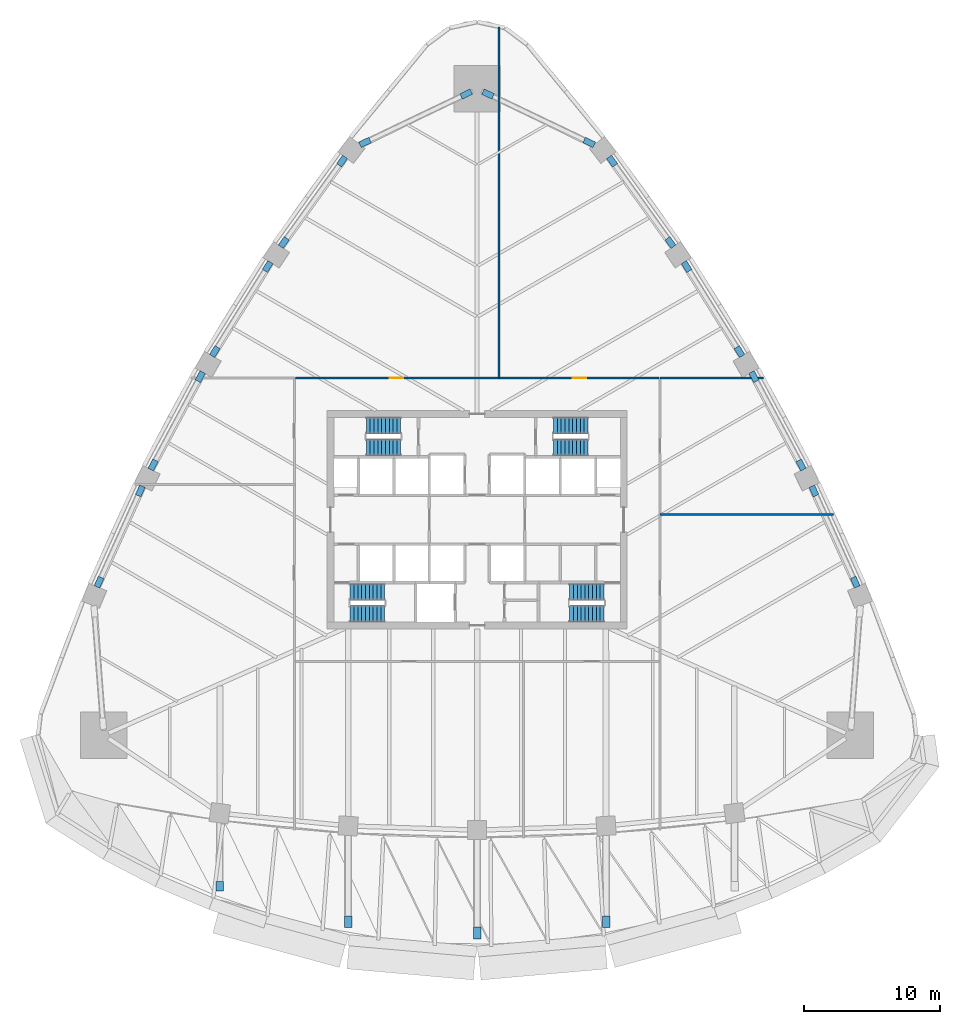
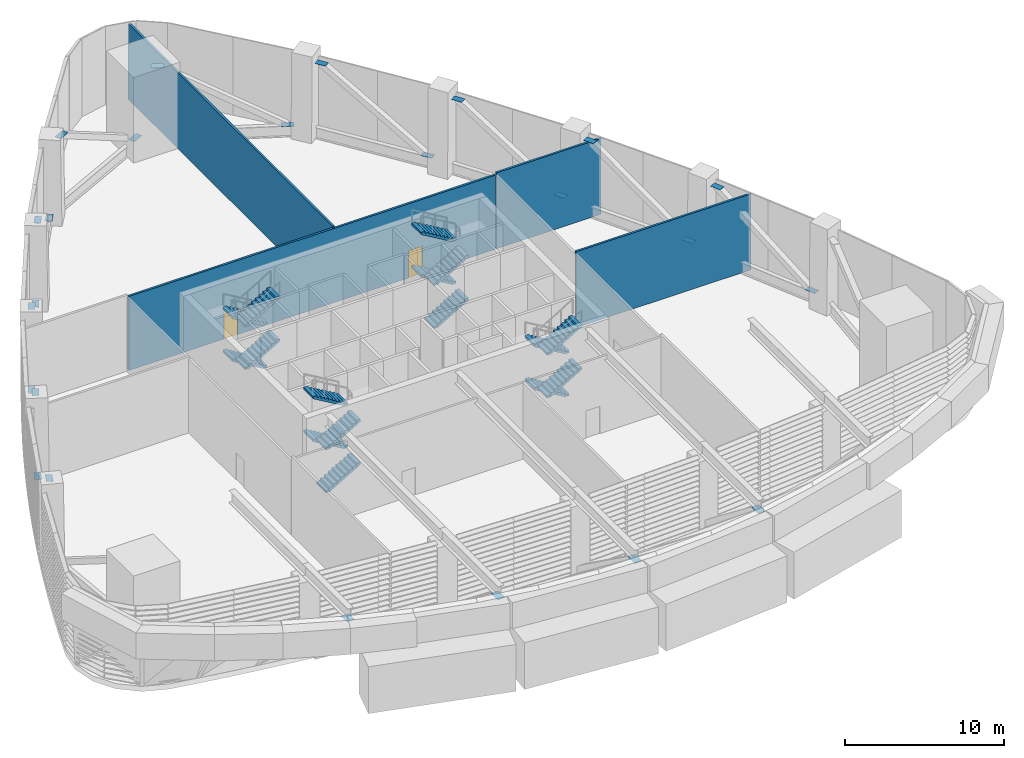
# One storey, part 6 of 15: 24 discrete accessories, 16 stair flights, 4 walls, 2 doors, 2 openings, 4 elements without a shape of their own.
"""IFC4 building model written with IfcOpenShell, lengths in metres."""

import ifcopenshell
import ifcopenshell.guid

model = None  # the IFC model being written
_history = None  # IfcOwnerHistory: only IFC2X3 demands one
_inside = {}  # id of a spatial element -> (the spatial element, [elements in it])
_under = {}  # id of a project, library or spatial element -> (it, [spatial elements below it])
_declared = {}  # id of a project -> (the project, [libraries it declares])
_typed = {}  # id of a type object -> (the type object, [elements of that type])
_made_of = {}  # id of a material, layer set ... -> (it, [elements and type objects made of it])


def new_model(schema):
    """Start an empty IFC model of exactly this schema.

    Asked for "IFC4X3", IfcOpenShell would pick the latest addendum, in which some entities
    have other attributes; the version numbers below select the first issue.
    IFC2X3 requires an IfcOwnerHistory on every rooted entity: one is made here for all.
    """
    global model, _history
    if schema == "IFC4X3":
        model = ifcopenshell.file(schema_version=(4, 3, 0, 0))
    else:
        model = ifcopenshell.file(schema=schema)
    _inside.clear()
    _under.clear()
    _declared.clear()
    _typed.clear()
    _made_of.clear()
    _history = None
    if model.schema == "IFC2X3":
        org = make("IfcOrganization", Name="unknown")
        user = make(
            "IfcPersonAndOrganization",
            ThePerson=make("IfcPerson", FamilyName="unknown"),
            TheOrganization=org,
        )
        app = make(
            "IfcApplication",
            ApplicationDeveloper=org,
            Version="unknown",
            ApplicationFullName="unknown",
            ApplicationIdentifier="unknown",
        )
        _history = make(
            "IfcOwnerHistory",
            OwningUser=user,
            OwningApplication=app,
            ChangeAction="ADDED",
            CreationDate=0,
        )
    return model


def make(cls, **values):
    """One entity of the class cls with the attributes given. An attribute that is None is left unset."""
    return model.create_entity(
        cls, **{name: value for name, value in values.items() if value is not None}
    )


def rooted(cls, **values):
    """An entity with a GlobalId (a new one), such as an element, a storey or a relation."""
    return make(cls, GlobalId=ifcopenshell.guid.new(), OwnerHistory=_history, **values)


def si_unit(unit_type, name, prefix=None):
    """IfcSIUnit, for example si_unit("LENGTHUNIT", "METRE", prefix="MILLI")."""
    return make("IfcSIUnit", UnitType=unit_type, Prefix=prefix, Name=name)


def assignment(units):
    """IfcUnitAssignment: the units of a project."""
    return None if units is None else make("IfcUnitAssignment", Units=units)


def point(xyz):
    """IfcCartesianPoint."""
    return None if xyz is None else make("IfcCartesianPoint", Coordinates=xyz)


def direction(xyz):
    """IfcDirection."""
    return None if xyz is None else make("IfcDirection", DirectionRatios=xyz)


def frame(location, z_axis=None, x_axis=None):
    """IfcAxis2Placement3D, a coordinate frame: its origin and axes. An axis left out is left unset."""
    return make(
        "IfcAxis2Placement3D",
        Location=point(location),
        Axis=direction(z_axis),
        RefDirection=direction(x_axis),
    )


def frame_2d(location, x_axis=None):
    """IfcAxis2Placement2D, a coordinate frame in the plane: its origin and x axis."""
    return make(
        "IfcAxis2Placement2D", Location=point(location), RefDirection=direction(x_axis)
    )


def origin():
    """The frame at (0, 0, 0) with its axes left unset."""
    return frame((0.0, 0.0, 0.0))


def origin_2d():
    """The frame at (0, 0) in the plane with its x axis left unset."""
    return frame_2d((0.0, 0.0))


def place(relative_to, where):
    """IfcLocalPlacement: puts the frame where relative to a parent placement (None: the world)."""
    return make(
        "IfcLocalPlacement", PlacementRelTo=relative_to, RelativePlacement=where
    )


def context(
    kind, dimensions, precision=None, world=None, true_north=None, identifier=None
):
    """IfcGeometricRepresentationContext, for example the 3D "Model" context."""
    return make(
        "IfcGeometricRepresentationContext",
        ContextIdentifier=identifier,
        ContextType=kind,
        CoordinateSpaceDimension=dimensions,
        Precision=precision,
        WorldCoordinateSystem=world,
        TrueNorth=true_north,
    )


def subcontext(parent, identifier, kind, view, scale=None):
    """IfcGeometricRepresentationSubContext, for example "Body" below "Model"."""
    return make(
        "IfcGeometricRepresentationSubContext",
        ContextIdentifier=identifier,
        ContextType=kind,
        ParentContext=parent,
        TargetScale=scale,
        TargetView=view,
    )


def project(units=None, contexts=None):
    """IfcProject with its units and contexts."""
    return rooted(
        "IfcProject",
        Name="project",
        RepresentationContexts=contexts,
        UnitsInContext=assignment(units),
    )


def spatial(cls, under=None, at=None, **own):
    """A site, building, storey or space (cls), placed at a placement, below another one or the project."""
    s = rooted(cls, ObjectPlacement=at, **own)
    if under is not None:
        _under.setdefault(under.id(), (under, []))[1].append(s)
    return s


def polyline(points):
    """IfcPolyline through the points."""
    return make("IfcPolyline", Points=[point(p) for p in points])


def profile(cls, at=None, kind="AREA", **sizes):
    """A parametric profile (cls). Its sizes go by their IFC names, for example OverallWidth=200.0."""
    return make(cls, ProfileType=kind, Position=at, **sizes)


def rectangle(**sizes):
    """IfcRectangleProfileDef."""
    return profile("IfcRectangleProfileDef", **sizes)


def outline(outer, holes=None, kind="AREA"):
    """IfcArbitraryClosedProfileDef: a profile drawn as a closed curve; with holes, ...WithVoids."""
    if holes is None:
        return make("IfcArbitraryClosedProfileDef", ProfileType=kind, OuterCurve=outer)
    return make(
        "IfcArbitraryProfileDefWithVoids",
        ProfileType=kind,
        OuterCurve=outer,
        InnerCurves=holes,
    )


def extrude(swept, where, along, depth):
    """IfcExtrudedAreaSolid: the profile swept, set in the frame where, extruded along a direction by depth."""
    return make(
        "IfcExtrudedAreaSolid",
        SweptArea=swept,
        Position=where,
        ExtrudedDirection=direction(along),
        Depth=depth,
    )


def shape(context_of_items, identifier, shape_type, items):
    """IfcShapeRepresentation: the items that make up one representation, for example the "Body"."""
    return make(
        "IfcShapeRepresentation",
        ContextOfItems=context_of_items,
        RepresentationIdentifier=identifier,
        RepresentationType=shape_type,
        Items=items,
    )


def material(Name=None, Category=None):
    """IfcMaterial."""
    return make("IfcMaterial", Name=Name, Category=Category)


def layer(
    of_material, thickness, ventilated=None, Name=None, Category=None, Priority=None
):
    """IfcMaterialLayer: one layer of a wall or slab, of a material (None: an air gap)."""
    return make(
        "IfcMaterialLayer",
        Material=of_material,
        LayerThickness=thickness,
        IsVentilated=ventilated,
        Name=Name,
        Category=Category,
        Priority=Priority,
    )


def layer_set(layers, Name=None):
    """IfcMaterialLayerSet."""
    return make("IfcMaterialLayerSet", MaterialLayers=layers, LayerSetName=Name)


def made_of(thing, what):
    """Note that an element or type object is made of a material, layer set ...; save() writes the relation."""
    if what is not None:
        _made_of.setdefault(what.id(), (what, []))[1].append(thing)
    return thing


def type_object(cls, material=None, **own):
    """A type object (cls), such as IfcWallType, which elements share."""
    return made_of(rooted(cls, **own), material)


def element(
    cls,
    number,
    at=None,
    inside=None,
    cuts=None,
    type_object=None,
    material=None,
    context=None,
    identifier="Body",
    shape_type=None,
    held_by="IfcProductDefinitionShape",
    body=None,
    shapes=None,
    **own,
):
    """One element of the class cls, such as IfcWall. Its Tag is "e" and its number.

    at: its placement. inside: the storey or other place that contains it. cuts: it is an
    opening in that element (IfcRelVoidsElement). A single representation is given by context,
    identifier, shape_type and body (its items); several are given by shapes. held_by: the class
    of the entity that holds the representations. save() writes the other relations.
    """
    e = rooted(cls, Tag="e%d" % number, ObjectPlacement=at, **own)
    if body is not None:
        shapes = [shape(context, identifier, shape_type, body)]
    if shapes is not None:
        e.Representation = make(held_by, Representations=shapes)
    if inside is not None:
        _inside.setdefault(inside.id(), (inside, []))[1].append(e)
    if cuts is not None:
        rooted(
            "IfcRelVoidsElement", RelatingBuildingElement=cuts, RelatedOpeningElement=e
        )
    if type_object is not None:
        _typed.setdefault(type_object.id(), (type_object, []))[1].append(e)
    return made_of(e, material)


def fill(opening, filler):
    """IfcRelFillsElement: the door or window that sits in an opening."""
    return rooted(
        "IfcRelFillsElement",
        RelatingOpeningElement=opening,
        RelatedBuildingElement=filler,
    )


def aggregate(whole, parts):
    """IfcRelAggregates: a whole, such as a stair, and the parts it consists of."""
    return rooted("IfcRelAggregates", RelatingObject=whole, RelatedObjects=parts)


def save(model, path):
    """Write the relations noted so far, then the file.

    IfcRelAggregates (storeys below a building ...), IfcRelContainedInSpatialStructure (elements
    in a storey), IfcRelDefinesByType, IfcRelAssociatesMaterial and IfcRelDeclares: one each for
    every whole, place, type object, material and project.
    """
    for whole, parts in _under.values():
        aggregate(whole, parts)
    for where, things in _inside.values():
        rooted(
            "IfcRelContainedInSpatialStructure",
            RelatedElements=things,
            RelatingStructure=where,
        )
    for kind, things in _typed.values():
        rooted("IfcRelDefinesByType", RelatedObjects=things, RelatingType=kind)
    for what, things in _made_of.values():
        rooted("IfcRelAssociatesMaterial", RelatedObjects=things, RelatingMaterial=what)
    for by, libraries in _declared.values():
        rooted("IfcRelDeclares", RelatingContext=by, RelatedDefinitions=libraries)
    model.write(path)


model = new_model("IFC4")

# Units and contexts
model_context = context("Model", 3, precision=1e-05, world=origin(), true_north=direction((0.0, 1.0)))
body_context = subcontext(model_context, "Body", "Model", "MODEL_VIEW")
ifc_project = project(units=[si_unit("LENGTHUNIT", "METRE"), si_unit("AREAUNIT", "SQUARE_METRE"), si_unit("VOLUMEUNIT", "CUBIC_METRE"), si_unit("PLANEANGLEUNIT", "RADIAN"), si_unit("MASSUNIT", "GRAM", prefix="KILO")], contexts=[model_context])

# Site, building, storey
site_placement = place(None, origin())
site = spatial("IfcSite", under=ifc_project, at=site_placement, CompositionType="ELEMENT")
building_placement = place(site_placement, origin())
building = spatial("IfcBuilding", under=site, at=building_placement, Name="Sierra Prisma Convention Tower", CompositionType="ELEMENT")
storey_placement = place(building_placement, frame((0.0, 0.0, 34.199951171875)))
storey = spatial("IfcBuildingStorey", under=building, at=storey_placement, Name="L05", CompositionType="ELEMENT", Elevation=34.199951171875)

# Wall, openings, doors
ifc_material_1 = material(Name="Gypsum board partition", Category="gypsum")
ifc_layer_1 = layer(ifc_material_1, 0.14990234375)
ifc_layer_set_1 = layer_set([ifc_layer_1], Name="Corridor wall 150 gypsum EI 60")
wall_type_1 = type_object("IfcWallType", Name="Corridor wall 150 gypsum EI 60", PredefinedType="PARTITIONING", material=ifc_layer_set_1)
wall_1_placement = place(storey_placement, frame((13.320068359375, 10.39990234375, 0.0), z_axis=(0.0, 0.0, 1.0), x_axis=(-1.0, 0.0, 0.0)))
wall_1 = element("IfcWall", 1, at=wall_1_placement, inside=storey, type_object=wall_type_1, Name="Partition L05 corr 3", PredefinedType="PARTITIONING", context=body_context, shape_type="SweptSolid", body=[
    extrude(rectangle(XDim=26.64013671875, YDim=0.14990234375, at=frame_2d((13.320068359375, 0.0))), origin(), (0.0, 0.0, 1.0), 5.697021484375),
])
opening_1_placement = place(wall_1_placement, frame((5.31005859375, 0.0, 0.0)))
opening_1 = element("IfcOpeningElement", 2, at=opening_1_placement, cuts=wall_1, Name="Opening L05-D019", PredefinedType="OPENING", context=body_context, shape_type="SweptSolid", body=[
    extrude(rectangle(XDim=1.0, YDim=2.10009765625, at=frame_2d((0.5, 1.050048828125))), frame((0.0, 0.074951171875, 0.0), z_axis=(0.0, -1.0, 0.0), x_axis=(1.0, 0.0, 0.0)), (0.0, 0.0, 1.0), 0.14990234375),
])
opening_2_placement = place(wall_1_placement, frame((18.72998046875, 0.0, 0.0)))
opening_2 = element("IfcOpeningElement", 3, at=opening_2_placement, cuts=wall_1, Name="Opening L05-D020", PredefinedType="OPENING", context=body_context, shape_type="SweptSolid", body=[
    extrude(rectangle(XDim=1.0, YDim=2.10009765625, at=frame_2d((0.5, 1.050048828125))), frame((0.0, 0.074951171875, 0.0), z_axis=(0.0, -1.0, 0.0), x_axis=(1.0, 0.0, 0.0)), (0.0, 0.0, 1.0), 0.14990234375),
])
ifc_material_2 = material(Name="Steel fire door leaf", Category="steel")
door_type = type_object("IfcDoorType", Name="Door 1000x2100 FD60S", OperationType="SINGLE_SWING_LEFT", PredefinedType="DOOR", material=ifc_material_2)
door_1_placement = place(opening_1_placement, origin())
door_1 = element("IfcDoor", 4, at=door_1_placement, inside=storey, type_object=door_type, Name="Door L05 2", OperationType="SINGLE_SWING_RIGHT", OverallHeight=2.10009765625, OverallWidth=1.0, PredefinedType="DOOR", context=body_context, shape_type="SweptSolid", body=[
    extrude(rectangle(XDim=1.0, YDim=2.10009765625, at=frame_2d((0.5, 1.050048828125))), frame((0.0, 0.02490234375, 0.0), z_axis=(0.0, -1.0, 0.0), x_axis=(1.0, 0.0, 0.0)), (0.0, 0.0, 1.0), 0.050048828125),
])
fill(opening_1, door_1)
door_2_placement = place(opening_2_placement, origin())
door_2 = element("IfcDoor", 5, at=door_2_placement, inside=storey, type_object=door_type, Name="Door L05 3", OperationType="SINGLE_SWING_LEFT", OverallHeight=2.10009765625, OverallWidth=1.0, PredefinedType="DOOR", context=body_context, shape_type="SweptSolid", body=[
    extrude(rectangle(XDim=1.0, YDim=2.10009765625, at=frame_2d((0.5, 1.050048828125))), frame((0.0, 0.02490234375, 0.0), z_axis=(0.0, -1.0, 0.0), x_axis=(1.0, 0.0, 0.0)), (0.0, 0.0, 1.0), 0.050048828125),
])
fill(opening_2, door_2)

# Walls
ifc_material_3 = material(Name="Gypsum board partition", Category="gypsum")
ifc_layer_2 = layer(ifc_material_3, 0.14990234375)
ifc_layer_set_2 = layer_set([ifc_layer_2], Name="Party wall 150 gypsum")
wall_type_2 = type_object("IfcWallType", Name="Party wall 150 gypsum", PredefinedType="PARTITIONING", material=ifc_layer_set_2)
wall_2_placement = place(storey_placement, frame((1.60009765625, 10.39990234375, 0.0), z_axis=(0.0, 0.0, 1.0), x_axis=(0.0, 1.0, 0.0)))
element("IfcWall", 6, at=wall_2_placement, inside=storey, type_object=wall_type_2, Name="Partition L05 party 4", PredefinedType="PARTITIONING", context=body_context, shape_type="SweptSolid", body=[
    extrude(rectangle(XDim=25.720947265625, YDim=0.14990234375, at=frame_2d((12.8603515625, 0.0))), origin(), (0.0, 0.0, 1.0), 5.833984375),
])
wall_3_placement = place(storey_placement, frame((26.118408203125, 0.39990234375, 0.0), z_axis=(0.0, 0.0, 1.0), x_axis=(-1.0, 0.0, 0.0)))
element("IfcWall", 7, at=wall_3_placement, inside=storey, type_object=wall_type_2, Name="Partition L05 party 7", PredefinedType="PARTITIONING", context=body_context, shape_type="SweptSolid", body=[
    extrude(rectangle(XDim=12.718505859375, YDim=0.14990234375, at=frame_2d((6.359375, 0.0))), origin(), (0.0, 0.0, 1.0), 5.833984375),
])
wall_4_placement = place(storey_placement, frame((13.39990234375, 10.39990234375, 0.0), z_axis=(0.0, 0.0, 1.0), x_axis=(1.0, 0.0, 0.0)))
element("IfcWall", 8, at=wall_4_placement, inside=storey, type_object=wall_type_2, Name="Partition L05 party 8", PredefinedType="PARTITIONING", context=body_context, shape_type="SweptSolid", body=[
    extrude(rectangle(XDim=7.580810546875, YDim=0.14990234375, at=frame_2d((3.79052734375, 0.0))), origin(), (0.0, 0.0, 1.0), 5.833984375),
])

# Stair, stair flights
ifc_material_4 = material(Name="Concrete C30/37", Category="concrete")
stair_type = type_object("IfcStairType", Name="Stair dog-leg 1200 RC", PredefinedType="HALF_TURN_STAIR", material=ifc_material_4)
stair_1_placement = place(storey_placement, origin())
stair_1 = element("IfcStair", 9, at=stair_1_placement, inside=storey, type_object=stair_type, Name="L05 S1", PredefinedType="HALF_TURN_STAIR")
ifc_material_5 = material(Name="Concrete C30/37", Category="concrete")
stair_flight_type = type_object("IfcStairFlightType", Name="Stair flight RC 1200", PredefinedType="STRAIGHT", material=ifc_material_5)
stair_flight_1_placement = place(storey_placement, frame((-9.300048828125, -6.89990234375, 0.0), z_axis=(0.0, 0.0, 1.0), x_axis=(1.0, 0.0, 0.0)))
stair_flight_1 = element("IfcStairFlight", 10, at=stair_flight_1_placement, type_object=stair_flight_type, Name="S1 flight 1", NumberOfRisers=10, NumberOfTreads=9, PredefinedType="STRAIGHT", RiserHeight=0.165, TreadLength=0.28, context=body_context, shape_type="SweptSolid", body=[
    extrude(outline(polyline([(0.0, 0.0), (0.0, 0.1650390625), (0.280029296875, 0.1650390625), (0.280029296875, 0.330078125), (0.56005859375, 0.330078125), (0.56005859375, 0.4951171875), (0.840087890625, 0.4951171875), (0.840087890625, 0.659912109375), (1.1201171875, 0.659912109375), (1.1201171875, 0.824951171875), (1.39990234375, 0.824951171875), (1.39990234375, 0.989990234375), (1.679931640625, 0.989990234375), (1.679931640625, 1.155029296875), (1.9599609375, 1.155029296875), (1.9599609375, 1.320068359375), (2.239990234375, 1.320068359375), (2.239990234375, 1.485107421875), (2.52001953125, 1.485107421875), (2.52001953125, 1.64990234375), (2.52001953125, 1.31103515625), (0.295166015625, 0.0), (0.0, 0.0)])), frame((0.0, 0.60009765625, 0.0), z_axis=(0.0, -1.0, 0.0), x_axis=(1.0, 0.0, 0.0)), (0.0, 0.0, 1.0), 1.199951171875),
])
stair_flight_2_placement = place(storey_placement, frame((-6.780029296875, -5.300048828125, 1.650146484375), z_axis=(0.0, 0.0, 1.0), x_axis=(-1.0, 0.0, 0.0)))
stair_flight_2 = element("IfcStairFlight", 11, at=stair_flight_2_placement, type_object=stair_flight_type, Name="S1 flight 2", NumberOfRisers=10, NumberOfTreads=9, PredefinedType="STRAIGHT", RiserHeight=0.165, TreadLength=0.28, context=body_context, shape_type="SweptSolid", body=[
    extrude(outline(polyline([(0.0, 0.0), (0.0, 0.1650390625), (0.280029296875, 0.1650390625), (0.280029296875, 0.330078125), (0.56005859375, 0.330078125), (0.56005859375, 0.4951171875), (0.840087890625, 0.4951171875), (0.840087890625, 0.659912109375), (1.1201171875, 0.659912109375), (1.1201171875, 0.824951171875), (1.39990234375, 0.824951171875), (1.39990234375, 0.989990234375), (1.679931640625, 0.989990234375), (1.679931640625, 1.155029296875), (1.9599609375, 1.155029296875), (1.9599609375, 1.320068359375), (2.239990234375, 1.320068359375), (2.239990234375, 1.485107421875), (2.52001953125, 1.485107421875), (2.52001953125, 1.64990234375), (2.52001953125, 1.31103515625), (0.295166015625, 0.0), (0.0, 0.0)])), frame((0.0, 0.60009765625, 0.0), z_axis=(0.0, -1.0, 0.0), x_axis=(1.0, 0.0, 0.0)), (0.0, 0.0, 1.0), 1.199951171875),
])
stair_flight_3_placement = place(storey_placement, frame((-9.300048828125, -6.89990234375, 3.300048828125), z_axis=(0.0, 0.0, 1.0), x_axis=(1.0, 0.0, 0.0)))
stair_flight_3 = element("IfcStairFlight", 12, at=stair_flight_3_placement, type_object=stair_flight_type, Name="S1 flight 3", NumberOfRisers=10, NumberOfTreads=9, PredefinedType="STRAIGHT", RiserHeight=0.165, TreadLength=0.28, context=body_context, shape_type="SweptSolid", body=[
    extrude(outline(polyline([(0.0, 0.0), (0.0, 0.1650390625), (0.280029296875, 0.1650390625), (0.280029296875, 0.330078125), (0.56005859375, 0.330078125), (0.56005859375, 0.4951171875), (0.840087890625, 0.4951171875), (0.840087890625, 0.659912109375), (1.1201171875, 0.659912109375), (1.1201171875, 0.824951171875), (1.39990234375, 0.824951171875), (1.39990234375, 0.989990234375), (1.679931640625, 0.989990234375), (1.679931640625, 1.155029296875), (1.9599609375, 1.155029296875), (1.9599609375, 1.320068359375), (2.239990234375, 1.320068359375), (2.239990234375, 1.485107421875), (2.52001953125, 1.485107421875), (2.52001953125, 1.64990234375), (2.52001953125, 1.31103515625), (0.295166015625, 0.0), (0.0, 0.0)])), frame((0.0, 0.60009765625, 0.0), z_axis=(0.0, -1.0, 0.0), x_axis=(1.0, 0.0, 0.0)), (0.0, 0.0, 1.0), 1.199951171875),
])
stair_flight_4_placement = place(storey_placement, frame((-6.780029296875, -5.300048828125, 4.949951171875), z_axis=(0.0, 0.0, 1.0), x_axis=(-1.0, 0.0, 0.0)))
stair_flight_4 = element("IfcStairFlight", 13, at=stair_flight_4_placement, type_object=stair_flight_type, Name="S1 flight 4", NumberOfRisers=10, NumberOfTreads=9, PredefinedType="STRAIGHT", RiserHeight=0.165, TreadLength=0.28, context=body_context, shape_type="SweptSolid", body=[
    extrude(outline(polyline([(0.0, 0.0), (0.0, 0.1650390625), (0.280029296875, 0.1650390625), (0.280029296875, 0.330078125), (0.56005859375, 0.330078125), (0.56005859375, 0.4951171875), (0.840087890625, 0.4951171875), (0.840087890625, 0.659912109375), (1.1201171875, 0.659912109375), (1.1201171875, 0.824951171875), (1.39990234375, 0.824951171875), (1.39990234375, 0.989990234375), (1.679931640625, 0.989990234375), (1.679931640625, 1.155029296875), (1.9599609375, 1.155029296875), (1.9599609375, 1.320068359375), (2.239990234375, 1.320068359375), (2.239990234375, 1.485107421875), (2.52001953125, 1.485107421875), (2.52001953125, 1.64990234375), (2.52001953125, 1.31103515625), (0.295166015625, 0.0), (0.0, 0.0)])), frame((0.0, 0.60009765625, 0.0), z_axis=(0.0, -1.0, 0.0), x_axis=(1.0, 0.0, 0.0)), (0.0, 0.0, 1.0), 1.199951171875),
])
aggregate(stair_1, [stair_flight_1, stair_flight_2, stair_flight_3, stair_flight_4])

stair_2_placement = place(storey_placement, origin())
stair_2 = element("IfcStair", 14, at=stair_2_placement, inside=storey, type_object=stair_type, Name="L05 S2", PredefinedType="HALF_TURN_STAIR")
stair_flight_5_placement = place(storey_placement, frame((9.300048828125, -5.300048828125, 0.0), z_axis=(0.0, 0.0, 1.0), x_axis=(-1.0, 0.0, 0.0)))
stair_flight_5 = element("IfcStairFlight", 15, at=stair_flight_5_placement, type_object=stair_flight_type, Name="S2 flight 1", NumberOfRisers=10, NumberOfTreads=9, PredefinedType="STRAIGHT", RiserHeight=0.165, TreadLength=0.28, context=body_context, shape_type="SweptSolid", body=[
    extrude(outline(polyline([(0.0, 0.0), (0.0, 0.1650390625), (0.280029296875, 0.1650390625), (0.280029296875, 0.330078125), (0.56005859375, 0.330078125), (0.56005859375, 0.4951171875), (0.840087890625, 0.4951171875), (0.840087890625, 0.659912109375), (1.1201171875, 0.659912109375), (1.1201171875, 0.824951171875), (1.39990234375, 0.824951171875), (1.39990234375, 0.989990234375), (1.679931640625, 0.989990234375), (1.679931640625, 1.155029296875), (1.9599609375, 1.155029296875), (1.9599609375, 1.320068359375), (2.239990234375, 1.320068359375), (2.239990234375, 1.485107421875), (2.52001953125, 1.485107421875), (2.52001953125, 1.64990234375), (2.52001953125, 1.31103515625), (0.295166015625, 0.0), (0.0, 0.0)])), frame((0.0, 0.60009765625, 0.0), z_axis=(0.0, -1.0, 0.0), x_axis=(1.0, 0.0, 0.0)), (0.0, 0.0, 1.0), 1.199951171875),
])
stair_flight_6_placement = place(storey_placement, frame((6.780029296875, -6.89990234375, 1.650146484375), z_axis=(0.0, 0.0, 1.0), x_axis=(1.0, 0.0, 0.0)))
stair_flight_6 = element("IfcStairFlight", 16, at=stair_flight_6_placement, type_object=stair_flight_type, Name="S2 flight 2", NumberOfRisers=10, NumberOfTreads=9, PredefinedType="STRAIGHT", RiserHeight=0.165, TreadLength=0.28, context=body_context, shape_type="SweptSolid", body=[
    extrude(outline(polyline([(0.0, 0.0), (0.0, 0.1650390625), (0.280029296875, 0.1650390625), (0.280029296875, 0.330078125), (0.56005859375, 0.330078125), (0.56005859375, 0.4951171875), (0.840087890625, 0.4951171875), (0.840087890625, 0.659912109375), (1.1201171875, 0.659912109375), (1.1201171875, 0.824951171875), (1.39990234375, 0.824951171875), (1.39990234375, 0.989990234375), (1.679931640625, 0.989990234375), (1.679931640625, 1.155029296875), (1.9599609375, 1.155029296875), (1.9599609375, 1.320068359375), (2.239990234375, 1.320068359375), (2.239990234375, 1.485107421875), (2.52001953125, 1.485107421875), (2.52001953125, 1.64990234375), (2.52001953125, 1.31103515625), (0.295166015625, 0.0), (0.0, 0.0)])), frame((0.0, 0.60009765625, 0.0), z_axis=(0.0, -1.0, 0.0), x_axis=(1.0, 0.0, 0.0)), (0.0, 0.0, 1.0), 1.199951171875),
])
stair_flight_7_placement = place(storey_placement, frame((9.300048828125, -5.300048828125, 3.300048828125), z_axis=(0.0, 0.0, 1.0), x_axis=(-1.0, 0.0, 0.0)))
stair_flight_7 = element("IfcStairFlight", 17, at=stair_flight_7_placement, type_object=stair_flight_type, Name="S2 flight 3", NumberOfRisers=10, NumberOfTreads=9, PredefinedType="STRAIGHT", RiserHeight=0.165, TreadLength=0.28, context=body_context, shape_type="SweptSolid", body=[
    extrude(outline(polyline([(0.0, 0.0), (0.0, 0.1650390625), (0.280029296875, 0.1650390625), (0.280029296875, 0.330078125), (0.56005859375, 0.330078125), (0.56005859375, 0.4951171875), (0.840087890625, 0.4951171875), (0.840087890625, 0.659912109375), (1.1201171875, 0.659912109375), (1.1201171875, 0.824951171875), (1.39990234375, 0.824951171875), (1.39990234375, 0.989990234375), (1.679931640625, 0.989990234375), (1.679931640625, 1.155029296875), (1.9599609375, 1.155029296875), (1.9599609375, 1.320068359375), (2.239990234375, 1.320068359375), (2.239990234375, 1.485107421875), (2.52001953125, 1.485107421875), (2.52001953125, 1.64990234375), (2.52001953125, 1.31103515625), (0.295166015625, 0.0), (0.0, 0.0)])), frame((0.0, 0.60009765625, 0.0), z_axis=(0.0, -1.0, 0.0), x_axis=(1.0, 0.0, 0.0)), (0.0, 0.0, 1.0), 1.199951171875),
])
stair_flight_8_placement = place(storey_placement, frame((6.780029296875, -6.89990234375, 4.949951171875), z_axis=(0.0, 0.0, 1.0), x_axis=(1.0, 0.0, 0.0)))
stair_flight_8 = element("IfcStairFlight", 18, at=stair_flight_8_placement, type_object=stair_flight_type, Name="S2 flight 4", NumberOfRisers=10, NumberOfTreads=9, PredefinedType="STRAIGHT", RiserHeight=0.165, TreadLength=0.28, context=body_context, shape_type="SweptSolid", body=[
    extrude(outline(polyline([(0.0, 0.0), (0.0, 0.1650390625), (0.280029296875, 0.1650390625), (0.280029296875, 0.330078125), (0.56005859375, 0.330078125), (0.56005859375, 0.4951171875), (0.840087890625, 0.4951171875), (0.840087890625, 0.659912109375), (1.1201171875, 0.659912109375), (1.1201171875, 0.824951171875), (1.39990234375, 0.824951171875), (1.39990234375, 0.989990234375), (1.679931640625, 0.989990234375), (1.679931640625, 1.155029296875), (1.9599609375, 1.155029296875), (1.9599609375, 1.320068359375), (2.239990234375, 1.320068359375), (2.239990234375, 1.485107421875), (2.52001953125, 1.485107421875), (2.52001953125, 1.64990234375), (2.52001953125, 1.31103515625), (0.295166015625, 0.0), (0.0, 0.0)])), frame((0.0, 0.60009765625, 0.0), z_axis=(0.0, -1.0, 0.0), x_axis=(1.0, 0.0, 0.0)), (0.0, 0.0, 1.0), 1.199951171875),
])
aggregate(stair_2, [stair_flight_5, stair_flight_6, stair_flight_7, stair_flight_8])

stair_3_placement = place(storey_placement, origin())
stair_3 = element("IfcStair", 19, at=stair_3_placement, inside=storey, type_object=stair_type, Name="L05 S3", PredefinedType="HALF_TURN_STAIR")
stair_flight_9_placement = place(storey_placement, frame((-5.60009765625, 6.89990234375, 0.0), z_axis=(0.0, 0.0, 1.0), x_axis=(-1.0, 0.0, 0.0)))
stair_flight_9 = element("IfcStairFlight", 20, at=stair_flight_9_placement, type_object=stair_flight_type, Name="S3 flight 1", NumberOfRisers=10, NumberOfTreads=9, PredefinedType="STRAIGHT", RiserHeight=0.165, TreadLength=0.28, context=body_context, shape_type="SweptSolid", body=[
    extrude(outline(polyline([(0.0, 0.0), (0.0, 0.1650390625), (0.280029296875, 0.1650390625), (0.280029296875, 0.330078125), (0.56005859375, 0.330078125), (0.56005859375, 0.4951171875), (0.840087890625, 0.4951171875), (0.840087890625, 0.659912109375), (1.1201171875, 0.659912109375), (1.1201171875, 0.824951171875), (1.39990234375, 0.824951171875), (1.39990234375, 0.989990234375), (1.679931640625, 0.989990234375), (1.679931640625, 1.155029296875), (1.9599609375, 1.155029296875), (1.9599609375, 1.320068359375), (2.239990234375, 1.320068359375), (2.239990234375, 1.485107421875), (2.52001953125, 1.485107421875), (2.52001953125, 1.64990234375), (2.52001953125, 1.31103515625), (0.295166015625, 0.0), (0.0, 0.0)])), frame((0.0, 0.60009765625, 0.0), z_axis=(0.0, -1.0, 0.0), x_axis=(1.0, 0.0, 0.0)), (0.0, 0.0, 1.0), 1.199951171875),
])
stair_flight_10_placement = place(storey_placement, frame((-8.1201171875, 5.300048828125, 1.650146484375), z_axis=(0.0, 0.0, 1.0), x_axis=(1.0, 0.0, 0.0)))
stair_flight_10 = element("IfcStairFlight", 21, at=stair_flight_10_placement, type_object=stair_flight_type, Name="S3 flight 2", NumberOfRisers=10, NumberOfTreads=9, PredefinedType="STRAIGHT", RiserHeight=0.165, TreadLength=0.28, context=body_context, shape_type="SweptSolid", body=[
    extrude(outline(polyline([(0.0, 0.0), (0.0, 0.1650390625), (0.280029296875, 0.1650390625), (0.280029296875, 0.330078125), (0.56005859375, 0.330078125), (0.56005859375, 0.4951171875), (0.840087890625, 0.4951171875), (0.840087890625, 0.659912109375), (1.1201171875, 0.659912109375), (1.1201171875, 0.824951171875), (1.39990234375, 0.824951171875), (1.39990234375, 0.989990234375), (1.679931640625, 0.989990234375), (1.679931640625, 1.155029296875), (1.9599609375, 1.155029296875), (1.9599609375, 1.320068359375), (2.239990234375, 1.320068359375), (2.239990234375, 1.485107421875), (2.52001953125, 1.485107421875), (2.52001953125, 1.64990234375), (2.52001953125, 1.31103515625), (0.295166015625, 0.0), (0.0, 0.0)])), frame((0.0, 0.60009765625, 0.0), z_axis=(0.0, -1.0, 0.0), x_axis=(1.0, 0.0, 0.0)), (0.0, 0.0, 1.0), 1.199951171875),
])
stair_flight_11_placement = place(storey_placement, frame((-5.60009765625, 6.89990234375, 3.300048828125), z_axis=(0.0, 0.0, 1.0), x_axis=(-1.0, 0.0, 0.0)))
stair_flight_11 = element("IfcStairFlight", 22, at=stair_flight_11_placement, type_object=stair_flight_type, Name="S3 flight 3", NumberOfRisers=10, NumberOfTreads=9, PredefinedType="STRAIGHT", RiserHeight=0.165, TreadLength=0.28, context=body_context, shape_type="SweptSolid", body=[
    extrude(outline(polyline([(0.0, 0.0), (0.0, 0.1650390625), (0.280029296875, 0.1650390625), (0.280029296875, 0.330078125), (0.56005859375, 0.330078125), (0.56005859375, 0.4951171875), (0.840087890625, 0.4951171875), (0.840087890625, 0.659912109375), (1.1201171875, 0.659912109375), (1.1201171875, 0.824951171875), (1.39990234375, 0.824951171875), (1.39990234375, 0.989990234375), (1.679931640625, 0.989990234375), (1.679931640625, 1.155029296875), (1.9599609375, 1.155029296875), (1.9599609375, 1.320068359375), (2.239990234375, 1.320068359375), (2.239990234375, 1.485107421875), (2.52001953125, 1.485107421875), (2.52001953125, 1.64990234375), (2.52001953125, 1.31103515625), (0.295166015625, 0.0), (0.0, 0.0)])), frame((0.0, 0.60009765625, 0.0), z_axis=(0.0, -1.0, 0.0), x_axis=(1.0, 0.0, 0.0)), (0.0, 0.0, 1.0), 1.199951171875),
])
stair_flight_12_placement = place(storey_placement, frame((-8.1201171875, 5.300048828125, 4.949951171875), z_axis=(0.0, 0.0, 1.0), x_axis=(1.0, 0.0, 0.0)))
stair_flight_12 = element("IfcStairFlight", 23, at=stair_flight_12_placement, type_object=stair_flight_type, Name="S3 flight 4", NumberOfRisers=10, NumberOfTreads=9, PredefinedType="STRAIGHT", RiserHeight=0.165, TreadLength=0.28, context=body_context, shape_type="SweptSolid", body=[
    extrude(outline(polyline([(0.0, 0.0), (0.0, 0.1650390625), (0.280029296875, 0.1650390625), (0.280029296875, 0.330078125), (0.56005859375, 0.330078125), (0.56005859375, 0.4951171875), (0.840087890625, 0.4951171875), (0.840087890625, 0.659912109375), (1.1201171875, 0.659912109375), (1.1201171875, 0.824951171875), (1.39990234375, 0.824951171875), (1.39990234375, 0.989990234375), (1.679931640625, 0.989990234375), (1.679931640625, 1.155029296875), (1.9599609375, 1.155029296875), (1.9599609375, 1.320068359375), (2.239990234375, 1.320068359375), (2.239990234375, 1.485107421875), (2.52001953125, 1.485107421875), (2.52001953125, 1.64990234375), (2.52001953125, 1.31103515625), (0.295166015625, 0.0), (0.0, 0.0)])), frame((0.0, 0.60009765625, 0.0), z_axis=(0.0, -1.0, 0.0), x_axis=(1.0, 0.0, 0.0)), (0.0, 0.0, 1.0), 1.199951171875),
])
aggregate(stair_3, [stair_flight_9, stair_flight_10, stair_flight_11, stair_flight_12])

stair_4_placement = place(storey_placement, origin())
stair_4 = element("IfcStair", 24, at=stair_4_placement, inside=storey, type_object=stair_type, Name="L05 S4", PredefinedType="HALF_TURN_STAIR")
stair_flight_13_placement = place(storey_placement, frame((5.60009765625, 5.300048828125, 0.0), z_axis=(0.0, 0.0, 1.0), x_axis=(1.0, 0.0, 0.0)))
stair_flight_13 = element("IfcStairFlight", 25, at=stair_flight_13_placement, type_object=stair_flight_type, Name="S4 flight 1", NumberOfRisers=10, NumberOfTreads=9, PredefinedType="STRAIGHT", RiserHeight=0.165, TreadLength=0.28, context=body_context, shape_type="SweptSolid", body=[
    extrude(outline(polyline([(0.0, 0.0), (0.0, 0.1650390625), (0.280029296875, 0.1650390625), (0.280029296875, 0.330078125), (0.56005859375, 0.330078125), (0.56005859375, 0.4951171875), (0.840087890625, 0.4951171875), (0.840087890625, 0.659912109375), (1.1201171875, 0.659912109375), (1.1201171875, 0.824951171875), (1.39990234375, 0.824951171875), (1.39990234375, 0.989990234375), (1.679931640625, 0.989990234375), (1.679931640625, 1.155029296875), (1.9599609375, 1.155029296875), (1.9599609375, 1.320068359375), (2.239990234375, 1.320068359375), (2.239990234375, 1.485107421875), (2.52001953125, 1.485107421875), (2.52001953125, 1.64990234375), (2.52001953125, 1.31103515625), (0.295166015625, 0.0), (0.0, 0.0)])), frame((0.0, 0.60009765625, 0.0), z_axis=(0.0, -1.0, 0.0), x_axis=(1.0, 0.0, 0.0)), (0.0, 0.0, 1.0), 1.199951171875),
])
stair_flight_14_placement = place(storey_placement, frame((8.1201171875, 6.89990234375, 1.650146484375), z_axis=(0.0, 0.0, 1.0), x_axis=(-1.0, 0.0, 0.0)))
stair_flight_14 = element("IfcStairFlight", 26, at=stair_flight_14_placement, type_object=stair_flight_type, Name="S4 flight 2", NumberOfRisers=10, NumberOfTreads=9, PredefinedType="STRAIGHT", RiserHeight=0.165, TreadLength=0.28, context=body_context, shape_type="SweptSolid", body=[
    extrude(outline(polyline([(0.0, 0.0), (0.0, 0.1650390625), (0.280029296875, 0.1650390625), (0.280029296875, 0.330078125), (0.56005859375, 0.330078125), (0.56005859375, 0.4951171875), (0.840087890625, 0.4951171875), (0.840087890625, 0.659912109375), (1.1201171875, 0.659912109375), (1.1201171875, 0.824951171875), (1.39990234375, 0.824951171875), (1.39990234375, 0.989990234375), (1.679931640625, 0.989990234375), (1.679931640625, 1.155029296875), (1.9599609375, 1.155029296875), (1.9599609375, 1.320068359375), (2.239990234375, 1.320068359375), (2.239990234375, 1.485107421875), (2.52001953125, 1.485107421875), (2.52001953125, 1.64990234375), (2.52001953125, 1.31103515625), (0.295166015625, 0.0), (0.0, 0.0)])), frame((0.0, 0.60009765625, 0.0), z_axis=(0.0, -1.0, 0.0), x_axis=(1.0, 0.0, 0.0)), (0.0, 0.0, 1.0), 1.199951171875),
])
stair_flight_15_placement = place(storey_placement, frame((5.60009765625, 5.300048828125, 3.300048828125), z_axis=(0.0, 0.0, 1.0), x_axis=(1.0, 0.0, 0.0)))
stair_flight_15 = element("IfcStairFlight", 27, at=stair_flight_15_placement, type_object=stair_flight_type, Name="S4 flight 3", NumberOfRisers=10, NumberOfTreads=9, PredefinedType="STRAIGHT", RiserHeight=0.165, TreadLength=0.28, context=body_context, shape_type="SweptSolid", body=[
    extrude(outline(polyline([(0.0, 0.0), (0.0, 0.1650390625), (0.280029296875, 0.1650390625), (0.280029296875, 0.330078125), (0.56005859375, 0.330078125), (0.56005859375, 0.4951171875), (0.840087890625, 0.4951171875), (0.840087890625, 0.659912109375), (1.1201171875, 0.659912109375), (1.1201171875, 0.824951171875), (1.39990234375, 0.824951171875), (1.39990234375, 0.989990234375), (1.679931640625, 0.989990234375), (1.679931640625, 1.155029296875), (1.9599609375, 1.155029296875), (1.9599609375, 1.320068359375), (2.239990234375, 1.320068359375), (2.239990234375, 1.485107421875), (2.52001953125, 1.485107421875), (2.52001953125, 1.64990234375), (2.52001953125, 1.31103515625), (0.295166015625, 0.0), (0.0, 0.0)])), frame((0.0, 0.60009765625, 0.0), z_axis=(0.0, -1.0, 0.0), x_axis=(1.0, 0.0, 0.0)), (0.0, 0.0, 1.0), 1.199951171875),
])
stair_flight_16_placement = place(storey_placement, frame((8.1201171875, 6.89990234375, 4.949951171875), z_axis=(0.0, 0.0, 1.0), x_axis=(-1.0, 0.0, 0.0)))
stair_flight_16 = element("IfcStairFlight", 28, at=stair_flight_16_placement, type_object=stair_flight_type, Name="S4 flight 4", NumberOfRisers=10, NumberOfTreads=9, PredefinedType="STRAIGHT", RiserHeight=0.165, TreadLength=0.28, context=body_context, shape_type="SweptSolid", body=[
    extrude(outline(polyline([(0.0, 0.0), (0.0, 0.1650390625), (0.280029296875, 0.1650390625), (0.280029296875, 0.330078125), (0.56005859375, 0.330078125), (0.56005859375, 0.4951171875), (0.840087890625, 0.4951171875), (0.840087890625, 0.659912109375), (1.1201171875, 0.659912109375), (1.1201171875, 0.824951171875), (1.39990234375, 0.824951171875), (1.39990234375, 0.989990234375), (1.679931640625, 0.989990234375), (1.679931640625, 1.155029296875), (1.9599609375, 1.155029296875), (1.9599609375, 1.320068359375), (2.239990234375, 1.320068359375), (2.239990234375, 1.485107421875), (2.52001953125, 1.485107421875), (2.52001953125, 1.64990234375), (2.52001953125, 1.31103515625), (0.295166015625, 0.0), (0.0, 0.0)])), frame((0.0, 0.60009765625, 0.0), z_axis=(0.0, -1.0, 0.0), x_axis=(1.0, 0.0, 0.0)), (0.0, 0.0, 1.0), 1.199951171875),
])
aggregate(stair_4, [stair_flight_13, stair_flight_14, stair_flight_15, stair_flight_16])

# Discrete accessories
ifc_material_6 = material(Name="Steel ASTM A992 Gr 50", Category="steel")
discrete_accessory_type = type_object("IfcDiscreteAccessoryType", Name="Truss end plate", PredefinedType="BRACKET", material=ifc_material_6)
discrete_accessory_1_placement = place(storey_placement, frame((-18.872314453125, -26.866455078125, 5.50830078125), z_axis=(0.0, 0.0, 1.0), x_axis=(0.002295105951, 0.999997366241, 0.0)))
element("IfcDiscreteAccessory", 29, at=discrete_accessory_1_placement, inside=storey, type_object=discrete_accessory_type, Name="Cantilever truss S-1 lower member head end plate", PredefinedType="BRACKET", context=body_context, shape_type="SweptSolid", body=[
    extrude(rectangle(XDim=0.720947265625, YDim=0.548095703125, at=origin_2d()), origin(), (0.0, 0.0, 1.0), 0.014892578125),
])
discrete_accessory_2_placement = place(storey_placement, frame((-9.45654296875, -29.458984375, 5.50830078125), z_axis=(0.0, 0.0, 1.0), x_axis=(0.000881391158, 0.999999611575, 0.0)))
element("IfcDiscreteAccessory", 30, at=discrete_accessory_2_placement, inside=storey, type_object=discrete_accessory_type, Name="Cantilever truss S-2 lower member head end plate", PredefinedType="BRACKET", context=body_context, shape_type="SweptSolid", body=[
    extrude(rectangle(XDim=0.837890625, YDim=0.548095703125, at=origin_2d()), origin(), (0.0, 0.0, 1.0), 0.014892578125),
])
discrete_accessory_3_placement = place(storey_placement, frame((0.0, -30.300048828125, 5.50830078125), z_axis=(0.0, 0.0, 1.0), x_axis=(0.0, 1.0, 0.0)))
element("IfcDiscreteAccessory", 31, at=discrete_accessory_3_placement, inside=storey, type_object=discrete_accessory_type, Name="Cantilever truss S-3 lower member head end plate", PredefinedType="BRACKET", context=body_context, shape_type="SweptSolid", body=[
    extrude(rectangle(XDim=0.8779296875, YDim=0.548095703125, at=origin_2d()), origin(), (0.0, 0.0, 1.0), 0.014892578125),
])
discrete_accessory_4_placement = place(storey_placement, frame((9.45654296875, -29.458984375, 5.50830078125), z_axis=(0.0, 0.0, 1.0), x_axis=(-0.000881391158, 0.999999611575, 0.0)))
element("IfcDiscreteAccessory", 32, at=discrete_accessory_4_placement, inside=storey, type_object=discrete_accessory_type, Name="Cantilever truss S-4 lower member head end plate", PredefinedType="BRACKET", context=body_context, shape_type="SweptSolid", body=[
    extrude(rectangle(XDim=0.837890625, YDim=0.548095703125, at=origin_2d()), origin(), (0.0, 0.0, 1.0), 0.014892578125),
])
for number, where, z_axis, x_axis, name in (
    (33, (27.711181640625, -4.5732421875, 0.85888671875), (0.0, 0.0, 1.0), (-0.41229842068, 0.911048852864, 0.0), "Belt truss L05-08 diagonal 1 foot end plate"),
    (34, (24.685791015625, 2.112060546875, 5.8193359375), (0.0, 0.0, 1.0), (-0.41229842068, 0.911048852864, 0.0), "Belt truss L05-08 diagonal 1 head end plate"),
    (35, (23.747314453125, 4.016357421875, 0.85888671875), (0.0, 0.0, 1.0), (-0.47126435662, 0.88199201027, 0.0), "Belt truss L05-09 diagonal 1 foot end plate"),
    (36, (20.289306640625, 10.48828125, 5.8193359375), (0.0, 0.0, 1.0), (-0.47126435662, 0.88199201027, 0.0), "Belt truss L05-09 diagonal 1 head end plate"),
    (37, (19.227783203125, 12.326904296875, 0.85888671875), (0.0, 0.0, 1.0), (-0.528192344517, 0.84912475361, 0.0), "Belt truss L05-10 diagonal 1 foot end plate"),
    (38, (15.351806640625, 18.5576171875, 5.8193359375), (0.0, 0.0, 1.0), (-0.528192344517, 0.84912475361, 0.0), "Belt truss L05-10 diagonal 1 head end plate"),
    (39, (14.171875, 20.322509765625, 0.85888671875), (0.0, 0.0, 1.0), (-0.582845076783, 0.812583298173, 0.0), "Belt truss L05-11 diagonal 1 foot end plate"),
    (40, (9.89501953125, 26.28515625, 5.8193359375), (0.0, 0.0, 1.0), (-0.582845076783, 0.812583298173, 0.0), "Belt truss L05-11 diagonal 1 head end plate"),
):
    element("IfcDiscreteAccessory", number, at=place(storey_placement, frame(where, z_axis=z_axis, x_axis=x_axis)), inside=storey, type_object=discrete_accessory_type, Name=name, PredefinedType="BRACKET", context=body_context, shape_type="SweptSolid", body=[
        extrude(rectangle(XDim=0.762939453125, YDim=0.446044921875, at=origin_2d()), origin(), (0.0, 0.0, 1.0), 0.014892578125),
    ])
for number, where, z_axis, x_axis, name in (
    (41, (8.21435546875, 27.65625, 0.85888671875), (0.0, 0.0, 1.0), (-0.902042822276, 0.431646553074, 0.0), "Belt truss L05-12 diagonal 1 foot end plate"),
    (42, (0.8017578125, 31.203369140625, 5.8193359375), (0.0, 0.0, 1.0), (-0.902042822276, 0.431646553074, 0.0), "Belt truss L05-12 diagonal 1 head end plate"),
    (43, (-0.8017578125, 31.203369140625, 0.85888671875), (0.0, 0.0, 1.0), (-0.902042822276, -0.431646553074, 0.0), "Belt truss L05-13 diagonal 1 foot end plate"),
    (44, (-8.21435546875, 27.65625, 5.8193359375), (0.0, 0.0, 1.0), (-0.902042822276, -0.431646553074, 0.0), "Belt truss L05-13 diagonal 1 head end plate"),
):
    element("IfcDiscreteAccessory", number, at=place(storey_placement, frame(where, z_axis=z_axis, x_axis=x_axis)), inside=storey, type_object=discrete_accessory_type, Name=name, PredefinedType="BRACKET", context=body_context, shape_type="SweptSolid", body=[
        extrude(rectangle(XDim=0.823974609375, YDim=0.446044921875, at=origin_2d()), origin(), (0.0, 0.0, 1.0), 0.014892578125),
    ])
for number, where, z_axis, x_axis, name in (
    (45, (-9.89501953125, 26.28515625, 0.85888671875), (0.0, 0.0, 1.0), (-0.582845076783, -0.812583298173, 0.0), "Belt truss L05-14 diagonal 1 foot end plate"),
    (46, (-14.171875, 20.322509765625, 5.8193359375), (0.0, 0.0, 1.0), (-0.582845076783, -0.812583298173, 0.0), "Belt truss L05-14 diagonal 1 head end plate"),
    (47, (-15.351806640625, 18.5576171875, 0.85888671875), (0.0, 0.0, 1.0), (-0.528192344517, -0.84912475361, 0.0), "Belt truss L05-15 diagonal 1 foot end plate"),
    (48, (-19.227783203125, 12.326904296875, 5.8193359375), (0.0, 0.0, 1.0), (-0.528192344517, -0.84912475361, 0.0), "Belt truss L05-15 diagonal 1 head end plate"),
    (49, (-20.289306640625, 10.48828125, 0.85888671875), (0.0, 0.0, 1.0), (-0.47126435662, -0.88199201027, 0.0), "Belt truss L05-16 diagonal 1 foot end plate"),
    (50, (-23.747314453125, 4.016357421875, 5.8193359375), (0.0, 0.0, 1.0), (-0.47126435662, -0.88199201027, 0.0), "Belt truss L05-16 diagonal 1 head end plate"),
    (51, (-24.685791015625, 2.112060546875, 0.85888671875), (0.0, 0.0, 1.0), (-0.41229842068, -0.911048852864, 0.0), "Belt truss L05-17 diagonal 1 foot end plate"),
    (52, (-27.711181640625, -4.5732421875, 5.8193359375), (0.0, 0.0, 1.0), (-0.41229842068, -0.911048852864, 0.0), "Belt truss L05-17 diagonal 1 head end plate"),
):
    element("IfcDiscreteAccessory", number, at=place(storey_placement, frame(where, z_axis=z_axis, x_axis=x_axis)), inside=storey, type_object=discrete_accessory_type, Name=name, PredefinedType="BRACKET", context=body_context, shape_type="SweptSolid", body=[
        extrude(rectangle(XDim=0.762939453125, YDim=0.446044921875, at=origin_2d()), origin(), (0.0, 0.0, 1.0), 0.014892578125),
    ])

save(model, "model.ifc")
